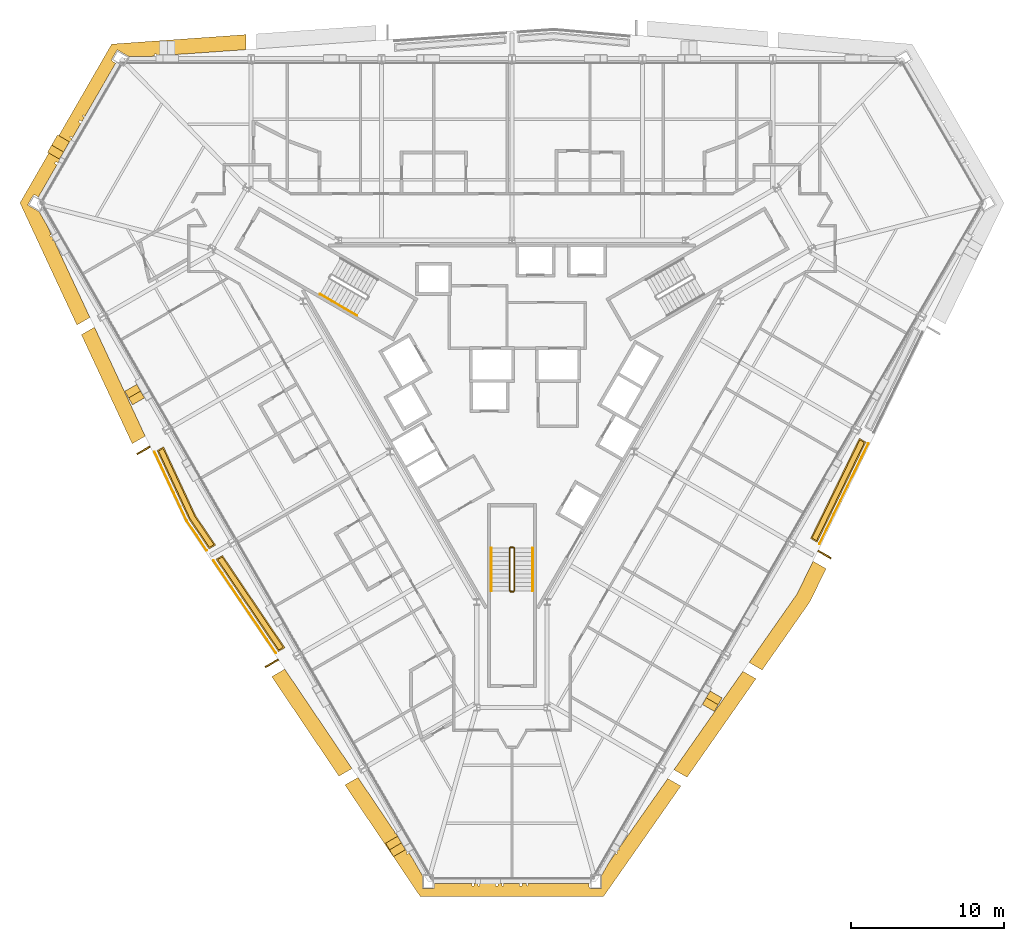
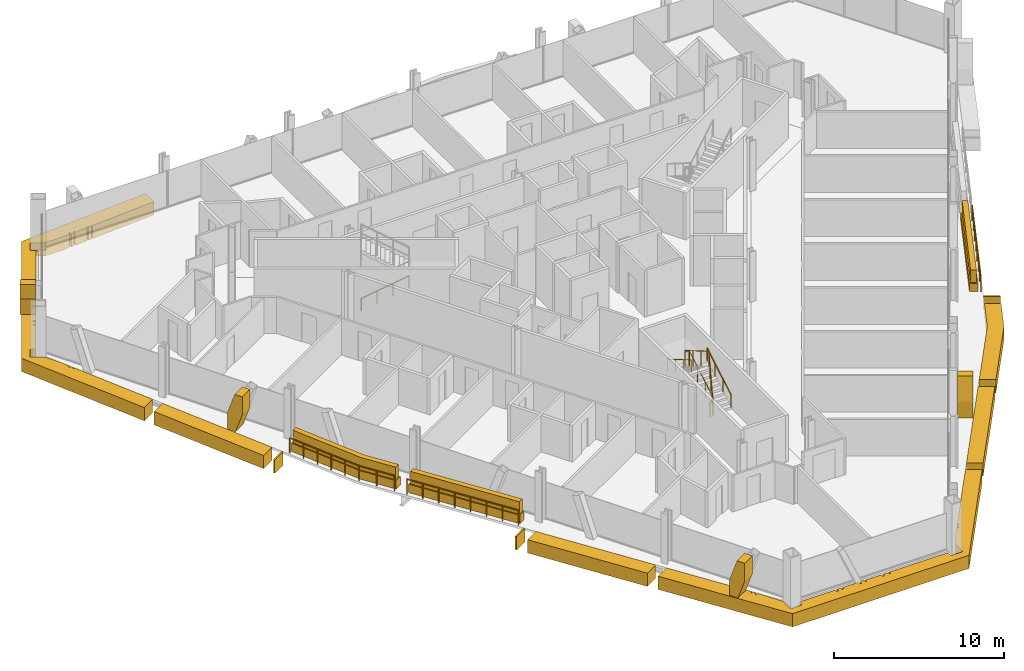
# One storey, part 16 of 17: 19 coverings, 7 railings.
"""IFC4 building model written with IfcOpenShell, lengths in metres."""

from ifc_helpers import new_model, si_unit, direction, frame, origin, origin_2d, place, context, subcontext, project, spatial, polyline, circle, outline, extrude, material, layer, layer_set, type_object, element, save


model = new_model("IFC4")

# Units and contexts
model_context = context("Model", 3, precision=1e-05, world=origin(), true_north=direction((0.0, 1.0)))
body_context = subcontext(model_context, "Body", "Model", "MODEL_VIEW")
ifc_project = project(units=[si_unit("LENGTHUNIT", "METRE"), si_unit("AREAUNIT", "SQUARE_METRE"), si_unit("VOLUMEUNIT", "CUBIC_METRE"), si_unit("PLANEANGLEUNIT", "RADIAN"), si_unit("MASSUNIT", "GRAM", prefix="KILO")], contexts=[model_context])

# Site, building, storey
site_placement = place(None, origin())
site = spatial("IfcSite", under=ifc_project, at=site_placement, CompositionType="ELEMENT")
building_placement = place(site_placement, origin())
building = spatial("IfcBuilding", under=site, at=building_placement, Name="Verrane Prism Tower", CompositionType="ELEMENT")
storey_placement = place(building_placement, frame((0.0, 0.0, 51.199951171875)))
storey = spatial("IfcBuildingStorey", under=building, at=storey_placement, Name="L10", CompositionType="ELEMENT", Elevation=51.199951171875)

# Coverings
ifc_material_1 = material(Name="Planting medium in stone kerb", Category="masonry")
covering_type_1 = type_object("IfcCoveringType", Name="Planter bed 600", PredefinedType="USERDEFINED", material=ifc_material_1)
covering_1_placement = place(storey_placement, origin())
element("IfcCovering", 1, at=covering_1_placement, inside=storey, type_object=covering_type_1, Name="Loggia planter SW3 L10", ObjectType="PLANTER", PredefinedType="USERDEFINED", context=body_context, shape_type="SweptSolid", body=[
    extrude(outline(polyline([(-23.177490234375, -4.529296875), (-21.0810546875, -9.0263671875), (-19.777099609375, -10.956298828125), (-19.343994140625, -10.706298828125), (-20.648193359375, -8.7763671875), (-22.744384765625, -4.279296875), (-23.177490234375, -4.529296875)])), origin(), (0.0, 0.0, 1.0), 0.60009765625),
])
covering_2_placement = place(storey_placement, origin())
element("IfcCovering", 2, at=covering_2_placement, inside=storey, type_object=covering_type_1, Name="Loggia planter SW4 L10", ObjectType="PLANTER", PredefinedType="USERDEFINED", context=body_context, shape_type="SweptSolid", body=[
    extrude(outline(polyline([(-19.327880859375, -11.620849609375), (-15.249755859375, -17.656494140625), (-14.81689453125, -17.406494140625), (-18.89501953125, -11.370849609375), (-19.327880859375, -11.620849609375)])), origin(), (0.0, 0.0, 1.0), 0.60009765625),
])
covering_3_placement = place(storey_placement, origin())
element("IfcCovering", 3, at=covering_3_placement, inside=storey, type_object=covering_type_1, Name="Loggia planter SE4 L10", ObjectType="PLANTER", PredefinedType="USERDEFINED", context=body_context, shape_type="SweptSolid", body=[
    extrude(outline(polyline([(19.925537109375, -10.5224609375), (23.11328125, -3.972900390625), (22.680419921875, -3.722900390625), (19.492431640625, -10.2724609375), (19.925537109375, -10.5224609375)])), origin(), (0.0, 0.0, 1.0), 0.60009765625),
])
ifc_material_2 = material(Name="Planted shrubs and grasses", Category="other")
covering_type_2 = type_object("IfcCoveringType", Name="Planting mass 1000", PredefinedType="USERDEFINED", material=ifc_material_2)
covering_4_placement = place(storey_placement, frame((0.0, 0.0, 0.60009765625)))
element("IfcCovering", 4, at=covering_4_placement, inside=storey, type_object=covering_type_2, Name="Loggia planting SW3 L10", ObjectType="PLANTING", PredefinedType="USERDEFINED", context=body_context, shape_type="SweptSolid", body=[
    extrude(outline(polyline([(-21.01123046875, -8.98681640625), (-19.75244140625, -10.849853515625), (-19.45849609375, -10.679931640625), (-20.718017578125, -8.81591796875), (-22.780029296875, -4.392333984375), (-23.073974609375, -4.56201171875), (-21.01123046875, -8.98681640625)])), origin(), (0.0, 0.0, 1.0), 0.89990234375),
])
covering_5_placement = place(storey_placement, frame((0.0, 0.0, 0.60009765625)))
element("IfcCovering", 5, at=covering_5_placement, inside=storey, type_object=covering_type_2, Name="Loggia planting SW4 L10", ObjectType="PLANTING", PredefinedType="USERDEFINED", context=body_context, shape_type="SweptSolid", body=[
    extrude(outline(polyline([(-15.22509765625, -17.550048828125), (-14.93115234375, -17.380126953125), (-18.919677734375, -11.4775390625), (-19.213623046875, -11.647216796875), (-15.22509765625, -17.550048828125)])), origin(), (0.0, 0.0, 1.0), 0.89990234375),
])
covering_6_placement = place(storey_placement, frame((0.0, 0.0, 0.60009765625)))
element("IfcCovering", 6, at=covering_6_placement, inside=storey, type_object=covering_type_2, Name="Loggia planting SE4 L10", ObjectType="PLANTING", PredefinedType="USERDEFINED", context=body_context, shape_type="SweptSolid", body=[
    extrude(outline(polyline([(23.0087890625, -4.0048828125), (22.71484375, -3.8349609375), (19.59716796875, -10.240478515625), (19.89111328125, -10.410400390625), (23.0087890625, -4.0048828125)])), origin(), (0.0, 0.0, 1.0), 0.89990234375),
])

# Railings
ifc_material_3 = material(Name="Steel A36 rail and posts, no infill", Category="steel")
railing_type_1 = type_object("IfcRailingType", Name="Stair guard 1100 steel rail and posts", PredefinedType="GUARDRAIL", material=ifc_material_3)
railing_1_placement = place(storey_placement, frame((0.14990234375, -13.699951171875, 0.16357421875)))
element("IfcRailing", 7, at=railing_1_placement, inside=storey, type_object=railing_type_1, Name="Stair 3 guard", PredefinedType="GUARDRAIL", context=body_context, shape_type="SweptSolid", body=[
    extrude(circle(Radius=0.02392578125, at=origin_2d()), frame((0.0, 0.0, 1.076171875), z_axis=(0.0, 0.863360870873, 0.504586966384), x_axis=(-1.0, 0.0, 0.0)), (0.0, 0.0, 1.0), 3.2431640625),
    extrude(circle(Radius=0.02392578125, at=origin_2d()), frame((0.0, 2.800048828125, 2.71240234375), z_axis=(-0.707106781187, 0.707106781187, 0.0), x_axis=(-0.707106781187, -0.707106781187, 0.0)), (0.0, 0.0, 1.0), 0.0703125),
    extrude(circle(Radius=0.02392578125, at=origin_2d()), frame((-0.0498046875, 2.849853515625, 2.71240234375), z_axis=(-1.0, 0.0, 0.0), x_axis=(0.0, -1.0, 0.0)), (0.0, 0.0, 1.0), 0.2001953125),
    extrude(circle(Radius=0.02392578125, at=origin_2d()), frame((-0.25, 2.849853515625, 2.71240234375), z_axis=(-0.279653641804, -0.279653641804, 0.918470294159), x_axis=(0.707106781187, -0.707106781187, 0.0)), (0.0, 0.0, 1.0), 0.177978515625),
    extrude(circle(Radius=0.02392578125, at=origin_2d()), frame((-0.2998046875, 2.800048828125, 2.8759765625), z_axis=(0.0, -0.863360870873, 0.504586966384), x_axis=(1.0, 0.0, 0.0)), (0.0, 0.0, 1.0), 3.2431640625),
    extrude(circle(Radius=0.02392578125, at=origin_2d()), frame((-0.2998046875, 0.0, 4.5126953125), z_axis=(0.069269067181, -0.013867342551, -0.997501625634), x_axis=(0.196300278283, 0.98054382908, 0.0)), (0.0, 0.0, 1.0), 3.609130859375),
    extrude(circle(Radius=0.02392578125, at=origin_2d()), frame((-0.0498046875, -0.050048828125, 0.91259765625), z_axis=(-1.0, 0.0, 0.0), x_axis=(0.0, -1.0, 0.0)), (0.0, 0.0, 1.0), 0.2001953125),
    extrude(circle(Radius=0.02099609375, at=origin_2d()), origin(), (0.0, 0.0, 1.0), 1.052001953125),
    extrude(circle(Radius=0.02099609375, at=origin_2d()), frame((0.0, 0.933349609375, 0.54541015625)), (0.0, 0.0, 1.0), 1.052001953125),
    extrude(circle(Radius=0.02099609375, at=origin_2d()), frame((0.0, 1.86669921875, 1.091064453125)), (0.0, 0.0, 1.0), 1.052001953125),
    extrude(circle(Radius=0.02099609375, at=origin_2d()), frame((0.0, 2.800048828125, 1.636474609375)), (0.0, 0.0, 1.0), 1.052001953125),
    extrude(circle(Radius=0.02099609375, at=origin_2d()), frame((-0.0498046875, 2.849853515625, 1.636474609375)), (0.0, 0.0, 1.0), 1.052001953125),
    extrude(circle(Radius=0.02099609375, at=origin_2d()), frame((-0.25, 2.849853515625, 1.636474609375)), (0.0, 0.0, 1.0), 1.052001953125),
    extrude(circle(Radius=0.02099609375, at=origin_2d()), frame((-0.2998046875, 2.800048828125, 1.800048828125)), (0.0, 0.0, 1.0), 1.052001953125),
    extrude(circle(Radius=0.02099609375, at=origin_2d()), frame((-0.2998046875, 1.86669921875, 2.345458984375)), (0.0, 0.0, 1.0), 1.052001953125),
    extrude(circle(Radius=0.02099609375, at=origin_2d()), frame((-0.2998046875, 0.933349609375, 2.89111328125)), (0.0, 0.0, 1.0), 1.052001953125),
    extrude(circle(Radius=0.02099609375, at=origin_2d()), frame((-0.2998046875, 0.0, 3.4365234375)), (0.0, 0.0, 1.0), 1.052001953125),
    extrude(circle(Radius=0.02099609375, at=origin_2d()), frame((-0.2373046875, -0.012451171875, 2.53662109375)), (0.0, 0.0, 1.0), 1.052001953125),
    extrude(circle(Radius=0.02099609375, at=origin_2d()), frame((-0.1748046875, -0.02490234375, 1.636474609375)), (0.0, 0.0, 1.0), 1.052001953125),
    extrude(circle(Radius=0.02099609375, at=origin_2d()), frame((-0.1123046875, -0.03759765625, 0.736328125)), (0.0, 0.0, 1.0), 1.052001953125),
    extrude(circle(Radius=0.02099609375, at=origin_2d()), frame((-0.0498046875, -0.050048828125, -0.16357421875)), (0.0, 0.0, 1.0), 1.052001953125),
    extrude(circle(Radius=0.02099609375, at=origin_2d()), frame((-0.25, -0.050048828125, -0.16357421875)), (0.0, 0.0, 1.0), 1.052001953125),
])
ifc_material_4 = material(Name="Steel A36 tube", Category="steel")
railing_type_2 = type_object("IfcRailingType", Name="Stair handrail 900 steel tube", PredefinedType="HANDRAIL", material=ifc_material_4)
railing_2_placement = place(storey_placement, frame((-12.53955078125, 5.680908203125, 0.16357421875)))
element("IfcRailing", 8, at=railing_2_placement, inside=storey, type_object=railing_type_2, Name="Stair 2 handrail", PredefinedType="HANDRAIL", context=body_context, shape_type="SweptSolid", body=[
    extrude(circle(Radius=0.02392578125, at=origin_2d()), frame((0.0, 0.0, 0.8759765625), z_axis=(0.747665513933, -0.431721881032, 0.504591415616), x_axis=(0.500049511043, 0.865996816683, 0.0)), (0.0, 0.0, 1.0), 3.2431640625),
    extrude(circle(Radius=0.02099609375, at=origin_2d()), origin(), (0.0, 0.0, 1.0), 0.851806640625),
    extrude(circle(Radius=0.02099609375, at=origin_2d()), frame((0.808349609375, -0.466796875, 0.54541015625)), (0.0, 0.0, 1.0), 0.851806640625),
    extrude(circle(Radius=0.02099609375, at=origin_2d()), frame((1.616455078125, -0.933349609375, 1.091064453125)), (0.0, 0.0, 1.0), 0.851806640625),
    extrude(circle(Radius=0.02099609375, at=origin_2d()), frame((2.4248046875, -1.400146484375, 1.636474609375)), (0.0, 0.0, 1.0), 0.851806640625),
])
railing_3_placement = place(storey_placement, frame((1.35009765625, -13.699951171875, 0.16357421875)))
element("IfcRailing", 9, at=railing_3_placement, inside=storey, type_object=railing_type_2, Name="Stair 3 handrail", PredefinedType="HANDRAIL", context=body_context, shape_type="SweptSolid", body=[
    extrude(circle(Radius=0.02392578125, at=origin_2d()), frame((0.0, 0.0, 0.8759765625), z_axis=(0.0, 0.863360870873, 0.504586966384), x_axis=(-1.0, 0.0, 0.0)), (0.0, 0.0, 1.0), 3.2431640625),
    extrude(circle(Radius=0.02099609375, at=origin_2d()), origin(), (0.0, 0.0, 1.0), 0.851806640625),
    extrude(circle(Radius=0.02099609375, at=origin_2d()), frame((0.0, 0.933349609375, 0.54541015625)), (0.0, 0.0, 1.0), 0.851806640625),
    extrude(circle(Radius=0.02099609375, at=origin_2d()), frame((0.0, 1.86669921875, 1.091064453125)), (0.0, 0.0, 1.0), 0.851806640625),
    extrude(circle(Radius=0.02099609375, at=origin_2d()), frame((0.0, 2.800048828125, 1.636474609375)), (0.0, 0.0, 1.0), 0.851806640625),
])
railing_4_placement = place(storey_placement, frame((-1.35009765625, -10.89990234375, 1.963623046875)))
element("IfcRailing", 10, at=railing_4_placement, inside=storey, type_object=railing_type_2, Name="Stair 3 handrail", PredefinedType="HANDRAIL", context=body_context, shape_type="SweptSolid", body=[
    extrude(circle(Radius=0.02392578125, at=origin_2d()), frame((0.0, 0.0, 0.8759765625), z_axis=(0.0, -0.863360870873, 0.504586966384), x_axis=(1.0, 0.0, 0.0)), (0.0, 0.0, 1.0), 3.2431640625),
    extrude(circle(Radius=0.02099609375, at=origin_2d()), origin(), (0.0, 0.0, 1.0), 0.851806640625),
    extrude(circle(Radius=0.02099609375, at=origin_2d()), frame((0.0, -0.933349609375, 0.54541015625)), (0.0, 0.0, 1.0), 0.851806640625),
    extrude(circle(Radius=0.02099609375, at=origin_2d()), frame((0.0, -1.86669921875, 1.091064453125)), (0.0, 0.0, 1.0), 0.851806640625),
    extrude(circle(Radius=0.02099609375, at=origin_2d()), frame((0.0, -2.800048828125, 1.636474609375)), (0.0, 0.0, 1.0), 0.851806640625),
])

# Coverings
ifc_material_5 = material(Name="Warm limestone cladding", Category="masonry")
ifc_layer_1 = layer(ifc_material_5, 0.89990234375)
ifc_layer_set_1 = layer_set([ifc_layer_1], Name="Stone brace fin 900")
covering_type_3 = type_object("IfcCoveringType", Name="Stone brace fin 900", PredefinedType="CLADDING", material=ifc_layer_set_1)
covering_7_placement = place(storey_placement, frame((-24.8916015625, -0.43505859375, 0.0), z_axis=(0.0, 0.0, 1.0), x_axis=(0.498980839555, -0.866613017302, 0.0)))
element("IfcCovering", 11, at=covering_7_placement, inside=storey, type_object=covering_type_3, Name="Stone brace fin SW2 L10", PredefinedType="CLADDING", context=body_context, shape_type="SweptSolid", body=[
    extrude(outline(polyline([(1.0166015625, 2.650146484375), (0.50244140625, 2.650146484375), (0.0, 1.162841796875), (0.0, 0.0), (0.556884765625, 0.0), (1.0166015625, 1.360107421875), (1.0166015625, 2.650146484375)])), frame((0.0, 0.449951171875, 0.0), z_axis=(0.0, -1.0, 0.0), x_axis=(1.0, 0.0, 0.0)), (0.0, 0.0, 1.0), 0.89990234375),
])
covering_8_placement = place(storey_placement, frame((-7.855224609375, -29.940185546875, 0.0), z_axis=(0.0, 0.0, 1.0), x_axis=(0.500401666258, -0.865793377433, 0.0)))
element("IfcCovering", 12, at=covering_8_placement, inside=storey, type_object=covering_type_3, Name="Stone brace fin SW6 L10", PredefinedType="CLADDING", context=body_context, shape_type="SweptSolid", body=[
    extrude(outline(polyline([(1.01611328125, 2.650146484375), (0.502197265625, 2.650146484375), (0.0, 1.16357421875), (0.0, 0.0), (0.556884765625, 0.0), (1.01611328125, 1.359375), (1.01611328125, 2.650146484375)])), frame((0.0, 0.449951171875, 0.0), z_axis=(0.0, -1.0, 0.0), x_axis=(1.0, 0.0, 0.0)), (0.0, 0.0, 1.0), 0.89990234375),
])
covering_9_placement = place(storey_placement, frame((12.823974609375, -21.338134765625, 0.0), z_axis=(0.0, 0.0, 1.0), x_axis=(0.499881722523, 0.866093680549, 0.0)))
element("IfcCovering", 13, at=covering_9_placement, inside=storey, type_object=covering_type_3, Name="Stone brace fin SE2 L10", PredefinedType="CLADDING", context=body_context, shape_type="SweptSolid", body=[
    extrude(outline(polyline([(1.01708984375, 2.650146484375), (0.503173828125, 2.650146484375), (0.0, 1.162353515625), (0.0, 0.0), (0.55712890625, 0.0), (1.01708984375, 1.36083984375), (1.01708984375, 2.650146484375)])), frame((0.0, 0.449951171875, 0.0), z_axis=(0.0, -1.0, 0.0), x_axis=(1.0, 0.0, 0.0)), (0.0, 0.0, 1.0), 0.89990234375),
])
covering_10_placement = place(storey_placement, frame((-29.2841796875, 15.8544921875, 0.0), z_axis=(0.0, 0.0, 1.0), x_axis=(-0.499862857197, -0.866104568741, 0.0)))
element("IfcCovering", 14, at=covering_10_placement, inside=storey, type_object=covering_type_3, Name="Stone brace fin NW1 L10", PredefinedType="CLADDING", context=body_context, shape_type="SweptSolid", body=[
    extrude(outline(polyline([(1.304443359375, 2.650146484375), (0.766845703125, 2.650146484375), (0.0, 0.884521484375), (0.0, 0.0), (0.59716796875, 0.0), (1.304443359375, 1.628662109375), (1.304443359375, 2.650146484375)])), frame((0.0, 0.449951171875, 0.0), z_axis=(0.0, -1.0, 0.0), x_axis=(1.0, 0.0, 0.0)), (0.0, 0.0, 1.0), 0.89990234375),
])
ifc_material_6 = material(Name="Warm limestone cladding", Category="masonry")
ifc_layer_2 = layer(ifc_material_6, 0.449951171875)
ifc_layer_set_2 = layer_set([ifc_layer_2], Name="Stone spandrel band 450")
covering_type_4 = type_object("IfcCoveringType", Name="Stone spandrel band 450", PredefinedType="CLADDING", material=ifc_layer_set_2)
covering_11_placement = place(storey_placement, frame((0.0, 0.0, -0.949951171875)))
element("IfcCovering", 15, at=covering_11_placement, inside=storey, type_object=covering_type_4, Name="Stone spandrel band L10 part 1", PredefinedType="CLADDING", context=body_context, shape_type="SweptSolid", body=[
    extrude(outline(polyline([(-5.99267578125, -33.638671875), (5.982177734375, -33.638671875), (11.026123046875, -26.437255859375), (10.17578125, -25.9462890625), (6.972412109375, -30.51953125), (7.033447265625, -30.5546875), (6.996826171875, -30.617919921875), (6.9306640625, -30.57958984375), (6.8154296875, -30.743896484375), (6.896728515625, -30.791015625), (6.8388671875, -30.89111328125), (6.748779296875, -30.839111328125), (6.349365234375, -31.4091796875), (5.85009765625, -32.274169921875), (5.85009765625, -33.139892578125), (5.090087890625, -33.139892578125), (5.090087890625, -33.117919921875), (5.042724609375, -33.03466796875), (5.042724609375, -32.793701171875), (1.0283203125, -32.793701171875), (1.0615234375, -32.930908203125), (0.975341796875, -32.95166015625), (0.937255859375, -32.793701171875), (0.65185546875, -32.793701171875), (0.65185546875, -32.9599609375), (0.502197265625, -32.9599609375), (0.502197265625, -32.793701171875), (-0.5615234375, -32.793701171875), (-0.5615234375, -32.9599609375), (-0.65185546875, -32.9599609375), (-0.65185546875, -32.793701171875), (-0.910888671875, -32.793701171875), (-0.910888671875, -32.9599609375), (-1.060791015625, -32.9599609375), (-1.060791015625, -32.793701171875), (-2.12451171875, -32.793701171875), (-2.12451171875, -32.9599609375), (-2.214599609375, -32.9599609375), (-2.214599609375, -32.793701171875), (-2.473876953125, -32.793701171875), (-2.473876953125, -32.9599609375), (-2.62353515625, -32.9599609375), (-2.62353515625, -32.793701171875), (-5.042724609375, -32.793701171875), (-5.042724609375, -33.03466796875), (-5.090087890625, -33.117919921875), (-5.090087890625, -33.139892578125), (-5.85009765625, -33.139892578125), (-5.85009765625, -32.274169921875), (-6.531005859375, -31.094482421875), (-6.71630859375, -30.8203125), (-6.8388671875, -30.89111328125), (-6.896728515625, -30.791015625), (-6.78125, -30.72412109375), (-6.8935546875, -30.55810546875), (-6.996826171875, -30.617919921875), (-7.033447265625, -30.5546875), (-6.934326171875, -30.49755859375), (-7.39892578125, -29.810302734375), (-7.447509765625, -29.83837890625), (-7.50537109375, -29.738037109375), (-7.4638671875, -29.714111328125), (-7.58447265625, -29.53564453125), (-7.61328125, -29.550537109375), (-7.6474609375, -29.484375), (-7.62646484375, -29.4736328125), (-10.056396484375, -25.877197265625), (-10.905517578125, -26.367431640625), (-5.99267578125, -33.638671875)])), origin(), (0.0, 0.0, 1.0), 0.949951171875),
])
covering_12_placement = place(storey_placement, frame((0.0, 0.0, -0.949951171875)))
element("IfcCovering", 16, at=covering_12_placement, inside=storey, type_object=covering_type_4, Name="Stone spandrel band L10 part 3", PredefinedType="CLADDING", context=body_context, shape_type="SweptSolid", body=[
    extrude(outline(polyline([(-27.55810546875, 4.16064453125), (-29.916015625, 9.21923828125), (-29.97607421875, 9.1845703125), (-30.012451171875, 9.24755859375), (-29.947021484375, 9.285400390625), (-30.03173828125, 9.467529296875), (-30.112548828125, 9.420654296875), (-30.170654296875, 9.52099609375), (-30.080810546875, 9.57275390625), (-30.3759765625, 10.2060546875), (-30.87255859375, 11.06591796875), (-31.625732421875, 11.5009765625), (-31.24560546875, 12.1591796875), (-31.226806640625, 12.148193359375), (-31.12939453125, 12.148193359375), (-30.92236328125, 12.028564453125), (-29.712890625, 14.12353515625), (-29.856689453125, 14.206298828125), (-29.78173828125, 14.336181640625), (-29.637939453125, 14.25341796875), (-29.50830078125, 14.477783203125), (-29.652099609375, 14.560791015625), (-29.607177734375, 14.638916015625), (-29.463134765625, 14.555908203125), (-28.93115234375, 15.4775390625), (-29.0751953125, 15.560791015625), (-29.000244140625, 15.6904296875), (-28.856201171875, 15.607421875), (-28.7265625, 15.831787109375), (-28.870849609375, 15.9150390625), (-28.82568359375, 15.993408203125), (-28.681396484375, 15.91015625), (-28.1494140625, 16.83154296875), (-28.2939453125, 16.9150390625), (-28.218994140625, 17.044921875), (-28.074462890625, 16.96142578125), (-27.931396484375, 17.208984375), (-28.04931640625, 17.32177734375), (-27.98779296875, 17.385986328125), (-27.8857421875, 17.2880859375), (-25.877685546875, 20.76611328125), (-26.08642578125, 20.886474609375), (-26.136474609375, 20.9697265625), (-26.15576171875, 20.98095703125), (-25.775634765625, 21.63916015625), (-25.02099609375, 21.203369140625), (-23.6630859375, 21.203369140625), (-23.33154296875, 21.226806640625), (-23.33154296875, 21.3701171875), (-23.2158203125, 21.3701171875), (-23.2158203125, 21.235107421875), (-23.015625, 21.249267578125), (-23.015625, 21.3701171875), (-22.94287109375, 21.3701171875), (-22.94287109375, 21.25439453125), (-22.114501953125, 21.31298828125), (-22.114501953125, 21.3701171875), (-21.99853515625, 21.3701171875), (-21.99853515625, 21.321044921875), (-21.78369140625, 21.336181640625), (-21.781982421875, 21.36962890625), (-21.70751953125, 21.365966796875), (-21.708740234375, 21.341552734375), (-17.382080078125, 21.647705078125), (-17.382080078125, 22.628173828125), (-26.135498046875, 22.009033203125), (-32.122802734375, 11.638671875), (-28.408203125, 3.669677734375), (-27.55810546875, 4.16064453125)])), origin(), (0.0, 0.0, 1.0), 0.949951171875),
])
covering_13_placement = place(storey_placement, frame((0.0, 0.0, -0.949951171875)))
element("IfcCovering", 17, at=covering_13_placement, inside=storey, type_object=covering_type_4, Name="Stone spandrel band L10 part 4", PredefinedType="CLADDING", context=body_context, shape_type="SweptSolid", body=[
    extrude(outline(polyline([(-23.9462890625, -3.587646484375), (-27.260986328125, 3.523681640625), (-28.111328125, 3.03271484375), (-24.79638671875, -4.07861328125), (-23.9462890625, -3.587646484375)])), origin(), (0.0, 0.0, 1.0), 0.949951171875),
])
covering_14_placement = place(storey_placement, frame((0.0, 0.0, -0.949951171875)))
element("IfcCovering", 18, at=covering_14_placement, inside=storey, type_object=covering_type_4, Name="Stone spandrel band L10 part 5", PredefinedType="CLADDING", context=body_context, shape_type="SweptSolid", body=[
    extrude(outline(polyline([(-15.685302734375, -19.293701171875), (-11.29833984375, -25.7861328125), (-10.44921875, -25.2958984375), (-14.8359375, -18.80322265625), (-15.685302734375, -19.293701171875)])), origin(), (0.0, 0.0, 1.0), 0.949951171875),
])
covering_15_placement = place(storey_placement, frame((0.0, 0.0, -0.949951171875)))
element("IfcCovering", 19, at=covering_15_placement, inside=storey, type_object=covering_type_4, Name="Stone spandrel band L10 part 6", PredefinedType="CLADDING", context=body_context, shape_type="SweptSolid", body=[
    extrude(outline(polyline([(15.080078125, -18.944091796875), (10.578857421875, -25.37060546875), (11.42919921875, -25.861572265625), (15.930419921875, -19.435302734375), (15.080078125, -18.944091796875)])), origin(), (0.0, 0.0, 1.0), 0.949951171875),
])
covering_16_placement = place(storey_placement, frame((0.0, 0.0, -0.949951171875)))
element("IfcCovering", 20, at=covering_16_placement, inside=storey, type_object=covering_type_4, Name="Stone spandrel band L10 part 7", PredefinedType="CLADDING", context=body_context, shape_type="SweptSolid", body=[
    extrude(outline(polyline([(19.462158203125, -14.392822265625), (20.5078125, -12.244384765625), (19.65869140625, -11.754150390625), (18.61669921875, -13.89501953125), (15.483154296875, -18.36865234375), (16.33349609375, -18.859619140625), (19.462158203125, -14.392822265625)])), origin(), (0.0, 0.0, 1.0), 0.949951171875),
])
covering_17_placement = place(storey_placement, frame((0.0, 0.0, -0.949951171875)))
element("IfcCovering", 21, at=covering_17_placement, inside=storey, type_object=covering_type_4, Name="Stone spandrel band L10 part 10", PredefinedType="CLADDING", context=body_context, shape_type="SweptSolid", body=[
    extrude(outline(polyline([(-24.457275390625, -4.806396484375), (-23.60693359375, -4.315673828125), (-23.6494140625, -4.224609375), (-24.499755859375, -4.71533203125), (-24.457275390625, -4.806396484375)])), origin(), (0.0, 0.0, 1.0), 0.949951171875),
])
covering_18_placement = place(storey_placement, frame((0.0, 0.0, -0.949951171875)))
element("IfcCovering", 22, at=covering_18_placement, inside=storey, type_object=covering_type_4, Name="Stone spandrel band L10 part 11", PredefinedType="CLADDING", context=body_context, shape_type="SweptSolid", body=[
    extrude(outline(polyline([(-15.28515625, -18.138916015625), (-16.13427734375, -18.62890625), (-16.078125, -18.712158203125), (-15.22900390625, -18.221923828125), (-15.28515625, -18.138916015625)])), origin(), (0.0, 0.0, 1.0), 0.949951171875),
])
covering_19_placement = place(storey_placement, frame((0.0, 0.0, -0.949951171875)))
element("IfcCovering", 23, at=covering_19_placement, inside=storey, type_object=covering_type_4, Name="Stone spandrel band L10 part 12", PredefinedType="CLADDING", context=body_context, shape_type="SweptSolid", body=[
    extrude(outline(polyline([(20.81494140625, -11.61328125), (20.85888671875, -11.523193359375), (20.009765625, -11.032958984375), (19.9658203125, -11.123046875), (20.81494140625, -11.61328125)])), origin(), (0.0, 0.0, 1.0), 0.949951171875),
])

# Railings
ifc_material_7 = material(Name="Stainless steel and laminated glass", Category="steel")
railing_type_3 = type_object("IfcRailingType", Name="Terrace guard 1100", PredefinedType="GUARDRAIL", material=ifc_material_7)
railing_5_placement = place(storey_placement, frame((-23.333251953125, -4.619384765625, 0.0)))
element("IfcRailing", 24, at=railing_5_placement, inside=storey, type_object=railing_type_3, Name="Loggia guard SW3 L10", PredefinedType="GUARDRAIL", context=body_context, shape_type="SweptSolid", body=[
    extrude(circle(Radius=0.02392578125, at=origin_2d()), frame((0.0, 0.0, 1.076171875), z_axis=(0.422481360719, -0.906371612444, 0.0), x_axis=(0.906371612444, 0.422481360719, 0.0)), (0.0, 0.0, 1.0), 4.961669921875),
    extrude(circle(Radius=0.02392578125, at=origin_2d()), frame((2.09619140625, -4.4970703125, 1.076171875), z_axis=(0.559913811638, -0.828550857544, 0.0), x_axis=(0.828550857544, 0.559913811638, 0.0)), (0.0, 0.0, 1.0), 2.329345703125),
    extrude(circle(Radius=0.02099609375, at=origin_2d()), origin(), (0.0, 0.0, 1.0), 1.052001953125),
    extrude(circle(Radius=0.02099609375, at=origin_2d()), frame((0.419189453125, -0.8994140625, 0.0)), (0.0, 0.0, 1.0), 1.052001953125),
    extrude(circle(Radius=0.02099609375, at=origin_2d()), frame((0.83837890625, -1.798828125, 0.0)), (0.0, 0.0, 1.0), 1.052001953125),
    extrude(circle(Radius=0.02099609375, at=origin_2d()), frame((1.2578125, -2.6982421875, 0.0)), (0.0, 0.0, 1.0), 1.052001953125),
    extrude(circle(Radius=0.02099609375, at=origin_2d()), frame((1.677001953125, -3.59765625, 0.0)), (0.0, 0.0, 1.0), 1.052001953125),
    extrude(circle(Radius=0.02099609375, at=origin_2d()), frame((2.09619140625, -4.4970703125, 0.0)), (0.0, 0.0, 1.0), 1.052001953125),
    extrude(circle(Radius=0.02099609375, at=origin_2d()), frame((2.748291015625, -5.4619140625, 0.0)), (0.0, 0.0, 1.0), 1.052001953125),
    extrude(circle(Radius=0.02099609375, at=origin_2d()), frame((3.400390625, -6.427001953125, 0.0)), (0.0, 0.0, 1.0), 1.052001953125),
])
railing_6_placement = place(storey_placement, frame((-19.48388671875, -11.7109375, 0.0)))
element("IfcRailing", 25, at=railing_6_placement, inside=storey, type_object=railing_type_3, Name="Loggia guard SW4 L10", PredefinedType="GUARDRAIL", context=body_context, shape_type="SweptSolid", body=[
    extrude(circle(Radius=0.02392578125, at=origin_2d()), frame((0.0, 0.0, 1.076171875), z_axis=(0.559856167443, -0.828589809119, 0.0), x_axis=(0.828589809119, 0.559856167443, 0.0)), (0.0, 0.0, 1.0), 7.2841796875),
    extrude(circle(Radius=0.02099609375, at=origin_2d()), origin(), (0.0, 0.0, 1.0), 1.052001953125),
    extrude(circle(Radius=0.02099609375, at=origin_2d()), frame((0.58251953125, -0.8623046875, 0.0)), (0.0, 0.0, 1.0), 1.052001953125),
    extrude(circle(Radius=0.02099609375, at=origin_2d()), frame((1.165283203125, -1.724365234375, 0.0)), (0.0, 0.0, 1.0), 1.052001953125),
    extrude(circle(Radius=0.02099609375, at=origin_2d()), frame((1.747802734375, -2.586669921875, 0.0)), (0.0, 0.0, 1.0), 1.052001953125),
    extrude(circle(Radius=0.02099609375, at=origin_2d()), frame((2.330322265625, -3.448974609375, 0.0)), (0.0, 0.0, 1.0), 1.052001953125),
    extrude(circle(Radius=0.02099609375, at=origin_2d()), frame((2.912841796875, -4.311279296875, 0.0)), (0.0, 0.0, 1.0), 1.052001953125),
    extrude(circle(Radius=0.02099609375, at=origin_2d()), frame((3.49560546875, -5.17333984375, 0.0)), (0.0, 0.0, 1.0), 1.052001953125),
    extrude(circle(Radius=0.02099609375, at=origin_2d()), frame((4.078125, -6.03564453125, 0.0)), (0.0, 0.0, 1.0), 1.052001953125),
])
railing_7_placement = place(storey_placement, frame((20.081298828125, -10.612548828125, 0.0)))
element("IfcRailing", 26, at=railing_7_placement, inside=storey, type_object=railing_type_3, Name="Loggia guard SE4 L10", PredefinedType="GUARDRAIL", context=body_context, shape_type="SweptSolid", body=[
    extrude(circle(Radius=0.02392578125, at=origin_2d()), frame((0.0, 0.0, 1.076171875), z_axis=(0.437642967361, 0.899148838135, 0.0), x_axis=(-0.899148838135, 0.437642967361, 0.0)), (0.0, 0.0, 1.0), 7.284423828125),
    extrude(circle(Radius=0.02099609375, at=origin_2d()), origin(), (0.0, 0.0, 1.0), 1.052001953125),
    extrude(circle(Radius=0.02099609375, at=origin_2d()), frame((0.455322265625, 0.935791015625, 0.0)), (0.0, 0.0, 1.0), 1.052001953125),
    extrude(circle(Radius=0.02099609375, at=origin_2d()), frame((0.910888671875, 1.871337890625, 0.0)), (0.0, 0.0, 1.0), 1.052001953125),
    extrude(circle(Radius=0.02099609375, at=origin_2d()), frame((1.3662109375, 2.80712890625, 0.0)), (0.0, 0.0, 1.0), 1.052001953125),
    extrude(circle(Radius=0.02099609375, at=origin_2d()), frame((1.82177734375, 3.74267578125, 0.0)), (0.0, 0.0, 1.0), 1.052001953125),
    extrude(circle(Radius=0.02099609375, at=origin_2d()), frame((2.277099609375, 4.678466796875, 0.0)), (0.0, 0.0, 1.0), 1.052001953125),
    extrude(circle(Radius=0.02099609375, at=origin_2d()), frame((2.732666015625, 5.614013671875, 0.0)), (0.0, 0.0, 1.0), 1.052001953125),
    extrude(circle(Radius=0.02099609375, at=origin_2d()), frame((3.18798828125, 6.5498046875, 0.0)), (0.0, 0.0, 1.0), 1.052001953125),
])

save(model, "model.ifc")
